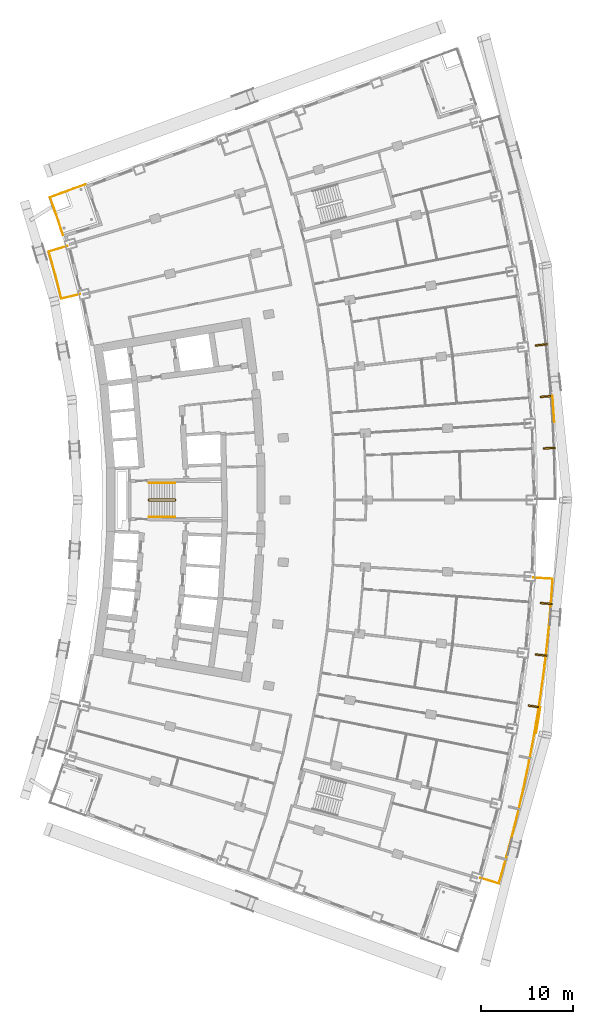
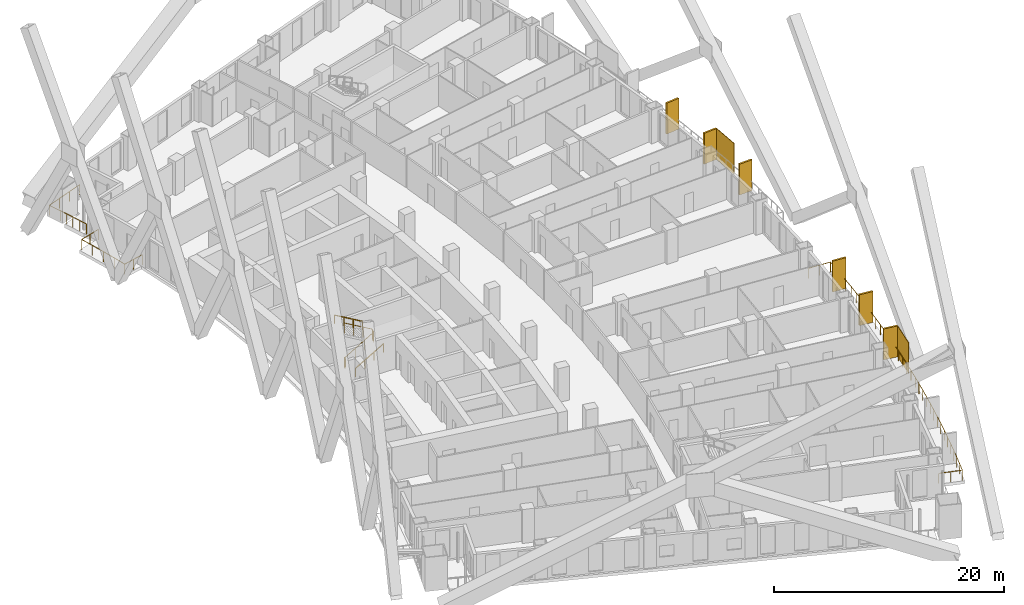
# One storey, part 22 of 23: 8 shading devices, 6 railings.
"""IFC4 building model written with IfcOpenShell, lengths in metres."""

from ifc_helpers import new_model, si_unit, direction, frame, origin, origin_with_axes, origin_2d, place, context, subcontext, project, spatial, rectangle, extrude, material, layer, layer_set, type_object, element, save


model = new_model("IFC4")

# Units and contexts
model_context = context("Model", 3, precision=1e-05, world=origin(), true_north=direction((0.0, 1.0)))
body_context = subcontext(model_context, "Body", "Model", "MODEL_VIEW")
ifc_project = project(units=[si_unit("LENGTHUNIT", "METRE"), si_unit("AREAUNIT", "SQUARE_METRE"), si_unit("VOLUMEUNIT", "CUBIC_METRE"), si_unit("PLANEANGLEUNIT", "RADIAN"), si_unit("MASSUNIT", "GRAM", prefix="KILO")], contexts=[model_context])

# Site, building, storey
site_placement = place(None, origin())
site = spatial("IfcSite", under=ifc_project, at=site_placement, CompositionType="ELEMENT")
building_placement = place(site_placement, origin())
building = spatial("IfcBuilding", under=site, at=building_placement, Name="Alderwake Tower", CompositionType="ELEMENT")
storey_placement = place(building_placement, frame((0.0, 0.0, 53.60009765625)))
storey = spatial("IfcBuildingStorey", under=building, at=storey_placement, Name="L12", CompositionType="ELEMENT", Elevation=53.60009765625)

# Railings
ifc_material_1 = material(Name="Stainless steel 316 rail and posts", Category="steel")
railing_type_1 = type_object("IfcRailingType", Name="Balcony guard 1100", PredefinedType="GUARDRAIL", material=ifc_material_1)
railing_1_placement = place(storey_placement, frame((56.98876953125, 19.974853515625, 0.0)))
element("IfcRailing", 1, at=railing_1_placement, inside=storey, type_object=railing_type_1, Name="Guard BF02", PredefinedType="GUARDRAIL", context=body_context, shape_type="SweptSolid", body=[
    extrude(rectangle(XDim=0.048095703125, YDim=0.048095703125, at=origin_2d()), frame((0.0, 0.0, 1.076171875), z_axis=(0.957954179098, -0.286921227429, 0.0), x_axis=(0.286921227429, 0.957954179098, 0.0)), (0.0, 0.0, 1.0), 2.10009765625),
    extrude(rectangle(XDim=0.048095703125, YDim=0.048095703125, at=origin_2d()), frame((2.01171875, -0.6025390625, 1.076171875), z_axis=(0.28021854868, 0.95993622964, 0.0), x_axis=(-0.95993622964, 0.28021854868, 0.0)), (0.0, 0.0, 1.0), 2.01611328125),
    extrude(rectangle(XDim=0.048095703125, YDim=0.048095703125, at=origin_2d()), frame((2.57666015625, 1.332763671875, 1.076171875), z_axis=(0.266513084078, 0.9638313006, 0.0), x_axis=(-0.9638313006, 0.266513084078, 0.0)), (0.0, 0.0, 1.0), 2.115966796875),
    extrude(rectangle(XDim=0.048095703125, YDim=0.048095703125, at=origin_2d()), frame((3.140625, 3.372314453125, 1.076171875), z_axis=(0.25253930462, 0.967586636752, 0.0), x_axis=(-0.967586636752, 0.25253930462, 0.0)), (0.0, 0.0, 1.0), 2.1162109375),
    extrude(rectangle(XDim=0.048095703125, YDim=0.048095703125, at=origin_2d()), frame((3.675048828125, 5.419921875, 1.076171875), z_axis=(0.238270812315, 0.971198754117, 0.0), x_axis=(-0.971198754117, 0.238270812315, 0.0)), (0.0, 0.0, 1.0), 2.115966796875),
    extrude(rectangle(XDim=0.048095703125, YDim=0.048095703125, at=origin_2d()), frame((4.17919921875, 7.474853515625, 1.076171875), z_axis=(0.224058933292, 0.974575597074, 0.0), x_axis=(-0.974575597074, 0.224058933292, 0.0)), (0.0, 0.0, 1.0), 2.115966796875),
    extrude(rectangle(XDim=0.048095703125, YDim=0.048095703125, at=origin_2d()), frame((4.6533203125, 9.537109375, 1.076171875), z_axis=(0.209875777658, 0.977728059305, 0.0), x_axis=(-0.977728059305, 0.209875777658, 0.0)), (0.0, 0.0, 1.0), 2.115966796875),
    extrude(rectangle(XDim=0.048095703125, YDim=0.048095703125, at=origin_2d()), frame((5.097412109375, 11.60595703125, 1.076171875), z_axis=(0.195672373282, 0.980669323643, 0.0), x_axis=(-0.980669323643, 0.195672373282, 0.0)), (0.0, 0.0, 1.0), 2.1162109375),
    extrude(rectangle(XDim=0.048095703125, YDim=0.048095703125, at=origin_2d()), frame((5.511474609375, 13.68115234375, 1.076171875), z_axis=(0.181271090416, 0.983433165893, 0.0), x_axis=(-0.983433165893, 0.181271090416, 0.0)), (0.0, 0.0, 1.0), 2.115966796875),
    extrude(rectangle(XDim=0.048095703125, YDim=0.048095703125, at=origin_2d()), frame((5.89501953125, 15.761962890625, 1.076171875), z_axis=(0.166942854132, 0.985966573193, 0.0), x_axis=(-0.985966573193, 0.166942854132, 0.0)), (0.0, 0.0, 1.0), 2.1162109375),
    extrude(rectangle(XDim=0.048095703125, YDim=0.048095703125, at=origin_2d()), frame((6.248291015625, 17.848388671875, 1.076171875), z_axis=(0.152525334997, 0.988299560955, 0.0), x_axis=(-0.988299560955, 0.152525334997, 0.0)), (0.0, 0.0, 1.0), 2.115966796875),
    extrude(rectangle(XDim=0.048095703125, YDim=0.048095703125, at=origin_2d()), frame((6.571044921875, 19.939697265625, 1.076171875), z_axis=(0.13810917546, 0.990417010988, 0.0), x_axis=(-0.990417010988, 0.13810917546, 0.0)), (0.0, 0.0, 1.0), 2.115966796875),
    extrude(rectangle(XDim=0.048095703125, YDim=0.048095703125, at=origin_2d()), frame((6.86328125, 22.035400390625, 1.076171875), z_axis=(0.123566122663, 0.992336340829, 0.0), x_axis=(-0.992336340829, 0.123566122663, 0.0)), (0.0, 0.0, 1.0), 2.115966796875),
    extrude(rectangle(XDim=0.048095703125, YDim=0.048095703125, at=origin_2d()), frame((7.124755859375, 24.13525390625, 1.076171875), z_axis=(0.109152371234, 0.994025029792, 0.0), x_axis=(-0.994025029792, 0.109152371234, 0.0)), (0.0, 0.0, 1.0), 2.115966796875),
    extrude(rectangle(XDim=0.048095703125, YDim=0.048095703125, at=origin_2d()), frame((7.355712890625, 26.238525390625, 1.076171875), z_axis=(0.094727418448, 0.995503247707, 0.0), x_axis=(-0.995503247707, 0.094727418448, 0.0)), (0.0, 0.0, 1.0), 2.115966796875),
    extrude(rectangle(XDim=0.048095703125, YDim=0.048095703125, at=origin_2d()), frame((7.55615234375, 28.344970703125, 1.076171875), z_axis=(0.080066197531, 0.996789548507, 0.0), x_axis=(-0.996789548507, 0.080066197531, 0.0)), (0.0, 0.0, 1.0), 2.1162109375),
    extrude(rectangle(XDim=0.048095703125, YDim=0.048095703125, at=origin_2d()), frame((7.7255859375, 30.454345703125, 1.076171875), z_axis=(0.065996579832, 0.997819849197, 0.0), x_axis=(-0.997819849197, 0.065996579832, 0.0)), (0.0, 0.0, 1.0), 2.01611328125),
    extrude(rectangle(XDim=0.048095703125, YDim=0.048095703125, at=origin_2d()), frame((7.858642578125, 32.466064453125, 1.076171875), z_axis=(-0.998261521477, 0.05894009449, 0.0), x_axis=(-0.05894009449, -0.998261521477, 0.0)), (0.0, 0.0, 1.0), 2.10009765625),
    extrude(rectangle(XDim=0.0419921875, YDim=0.0419921875, at=origin_2d()), frame((0.0, 0.0, 0.0), z_axis=(0.0, 0.0, 1.0), x_axis=(0.957954179098, -0.286921227429, 0.0)), (0.0, 0.0, 1.0), 1.052001953125),
    extrude(rectangle(XDim=0.0419921875, YDim=0.0419921875, at=origin_2d()), frame((1.005859375, -0.30126953125, 0.0), z_axis=(0.0, 0.0, 1.0), x_axis=(0.957954179098, -0.286921227429, 0.0)), (0.0, 0.0, 1.0), 1.052001953125),
    extrude(rectangle(XDim=0.0419921875, YDim=0.0419921875, at=origin_2d()), frame((2.01171875, -0.6025390625, 0.0), z_axis=(0.0, 0.0, 1.0), x_axis=(0.28021854868, 0.95993622964, 0.0)), (0.0, 0.0, 1.0), 1.052001953125),
    extrude(rectangle(XDim=0.0419921875, YDim=0.0419921875, at=origin_2d()), frame((2.294189453125, 0.365234375, 0.0), z_axis=(0.0, 0.0, 1.0), x_axis=(0.28021854868, 0.95993622964, 0.0)), (0.0, 0.0, 1.0), 1.052001953125),
    extrude(rectangle(XDim=0.0419921875, YDim=0.0419921875, at=origin_2d()), frame((2.57666015625, 1.332763671875, 0.0), z_axis=(0.0, 0.0, 1.0), x_axis=(0.266513084078, 0.9638313006, 0.0)), (0.0, 0.0, 1.0), 1.052001953125),
    extrude(rectangle(XDim=0.0419921875, YDim=0.0419921875, at=origin_2d()), frame((2.858642578125, 2.3525390625, 0.0), z_axis=(0.0, 0.0, 1.0), x_axis=(0.266513084078, 0.9638313006, 0.0)), (0.0, 0.0, 1.0), 1.052001953125),
    extrude(rectangle(XDim=0.0419921875, YDim=0.0419921875, at=origin_2d()), frame((3.140625, 3.372314453125, 0.0), z_axis=(0.0, 0.0, 1.0), x_axis=(0.25253930462, 0.967586636752, 0.0)), (0.0, 0.0, 1.0), 1.052001953125),
    extrude(rectangle(XDim=0.0419921875, YDim=0.0419921875, at=origin_2d()), frame((3.40771484375, 4.39599609375, 0.0), z_axis=(0.0, 0.0, 1.0), x_axis=(0.25253930462, 0.967586636752, 0.0)), (0.0, 0.0, 1.0), 1.052001953125),
    extrude(rectangle(XDim=0.0419921875, YDim=0.0419921875, at=origin_2d()), frame((3.675048828125, 5.419921875, 0.0), z_axis=(0.0, 0.0, 1.0), x_axis=(0.238270812315, 0.971198754117, 0.0)), (0.0, 0.0, 1.0), 1.052001953125),
    extrude(rectangle(XDim=0.0419921875, YDim=0.0419921875, at=origin_2d()), frame((3.92724609375, 6.447265625, 0.0), z_axis=(0.0, 0.0, 1.0), x_axis=(0.238270812315, 0.971198754117, 0.0)), (0.0, 0.0, 1.0), 1.052001953125),
    extrude(rectangle(XDim=0.0419921875, YDim=0.0419921875, at=origin_2d()), frame((4.17919921875, 7.474853515625, 0.0), z_axis=(0.0, 0.0, 1.0), x_axis=(0.224058933292, 0.974575597074, 0.0)), (0.0, 0.0, 1.0), 1.052001953125),
    extrude(rectangle(XDim=0.0419921875, YDim=0.0419921875, at=origin_2d()), frame((4.416259765625, 8.505859375, 0.0), z_axis=(0.0, 0.0, 1.0), x_axis=(0.224058933292, 0.974575597074, 0.0)), (0.0, 0.0, 1.0), 1.052001953125),
    extrude(rectangle(XDim=0.0419921875, YDim=0.0419921875, at=origin_2d()), frame((4.6533203125, 9.537109375, 0.0), z_axis=(0.0, 0.0, 1.0), x_axis=(0.209875777658, 0.977728059305, 0.0)), (0.0, 0.0, 1.0), 1.052001953125),
    extrude(rectangle(XDim=0.0419921875, YDim=0.0419921875, at=origin_2d()), frame((4.87548828125, 10.571533203125, 0.0), z_axis=(0.0, 0.0, 1.0), x_axis=(0.209875777658, 0.977728059305, 0.0)), (0.0, 0.0, 1.0), 1.052001953125),
    extrude(rectangle(XDim=0.0419921875, YDim=0.0419921875, at=origin_2d()), frame((5.097412109375, 11.60595703125, 0.0), z_axis=(0.0, 0.0, 1.0), x_axis=(0.195672373282, 0.980669323643, 0.0)), (0.0, 0.0, 1.0), 1.052001953125),
    extrude(rectangle(XDim=0.0419921875, YDim=0.0419921875, at=origin_2d()), frame((5.304443359375, 12.6435546875, 0.0), z_axis=(0.0, 0.0, 1.0), x_axis=(0.195672373282, 0.980669323643, 0.0)), (0.0, 0.0, 1.0), 1.052001953125),
    extrude(rectangle(XDim=0.0419921875, YDim=0.0419921875, at=origin_2d()), frame((5.511474609375, 13.68115234375, 0.0), z_axis=(0.0, 0.0, 1.0), x_axis=(0.181271090416, 0.983433165893, 0.0)), (0.0, 0.0, 1.0), 1.052001953125),
    extrude(rectangle(XDim=0.0419921875, YDim=0.0419921875, at=origin_2d()), frame((5.703125, 14.7216796875, 0.0), z_axis=(0.0, 0.0, 1.0), x_axis=(0.181271090416, 0.983433165893, 0.0)), (0.0, 0.0, 1.0), 1.052001953125),
    extrude(rectangle(XDim=0.0419921875, YDim=0.0419921875, at=origin_2d()), frame((5.89501953125, 15.761962890625, 0.0), z_axis=(0.0, 0.0, 1.0), x_axis=(0.166942854132, 0.985966573193, 0.0)), (0.0, 0.0, 1.0), 1.052001953125),
    extrude(rectangle(XDim=0.0419921875, YDim=0.0419921875, at=origin_2d()), frame((6.07177734375, 16.80517578125, 0.0), z_axis=(0.0, 0.0, 1.0), x_axis=(0.166942854132, 0.985966573193, 0.0)), (0.0, 0.0, 1.0), 1.052001953125),
    extrude(rectangle(XDim=0.0419921875, YDim=0.0419921875, at=origin_2d()), frame((6.248291015625, 17.848388671875, 0.0), z_axis=(0.0, 0.0, 1.0), x_axis=(0.152525334997, 0.988299560955, 0.0)), (0.0, 0.0, 1.0), 1.052001953125),
    extrude(rectangle(XDim=0.0419921875, YDim=0.0419921875, at=origin_2d()), frame((6.40966796875, 18.89404296875, 0.0), z_axis=(0.0, 0.0, 1.0), x_axis=(0.152525334997, 0.988299560955, 0.0)), (0.0, 0.0, 1.0), 1.052001953125),
    extrude(rectangle(XDim=0.0419921875, YDim=0.0419921875, at=origin_2d()), frame((6.571044921875, 19.939697265625, 0.0), z_axis=(0.0, 0.0, 1.0), x_axis=(0.13810917546, 0.990417010988, 0.0)), (0.0, 0.0, 1.0), 1.052001953125),
    extrude(rectangle(XDim=0.0419921875, YDim=0.0419921875, at=origin_2d()), frame((6.71728515625, 20.987548828125, 0.0), z_axis=(0.0, 0.0, 1.0), x_axis=(0.13810917546, 0.990417010988, 0.0)), (0.0, 0.0, 1.0), 1.052001953125),
    extrude(rectangle(XDim=0.0419921875, YDim=0.0419921875, at=origin_2d()), frame((6.86328125, 22.035400390625, 0.0), z_axis=(0.0, 0.0, 1.0), x_axis=(0.123566122663, 0.992336340829, 0.0)), (0.0, 0.0, 1.0), 1.052001953125),
    extrude(rectangle(XDim=0.0419921875, YDim=0.0419921875, at=origin_2d()), frame((6.994140625, 23.08544921875, 0.0), z_axis=(0.0, 0.0, 1.0), x_axis=(0.123566122663, 0.992336340829, 0.0)), (0.0, 0.0, 1.0), 1.052001953125),
    extrude(rectangle(XDim=0.0419921875, YDim=0.0419921875, at=origin_2d()), frame((7.124755859375, 24.13525390625, 0.0), z_axis=(0.0, 0.0, 1.0), x_axis=(0.109152371234, 0.994025029792, 0.0)), (0.0, 0.0, 1.0), 1.052001953125),
    extrude(rectangle(XDim=0.0419921875, YDim=0.0419921875, at=origin_2d()), frame((7.240234375, 25.18701171875, 0.0), z_axis=(0.0, 0.0, 1.0), x_axis=(0.109152371234, 0.994025029792, 0.0)), (0.0, 0.0, 1.0), 1.052001953125),
    extrude(rectangle(XDim=0.0419921875, YDim=0.0419921875, at=origin_2d()), frame((7.355712890625, 26.238525390625, 0.0), z_axis=(0.0, 0.0, 1.0), x_axis=(0.094727418448, 0.995503247707, 0.0)), (0.0, 0.0, 1.0), 1.052001953125),
    extrude(rectangle(XDim=0.0419921875, YDim=0.0419921875, at=origin_2d()), frame((7.4560546875, 27.291748046875, 0.0), z_axis=(0.0, 0.0, 1.0), x_axis=(0.094727418448, 0.995503247707, 0.0)), (0.0, 0.0, 1.0), 1.052001953125),
    extrude(rectangle(XDim=0.0419921875, YDim=0.0419921875, at=origin_2d()), frame((7.55615234375, 28.344970703125, 0.0), z_axis=(0.0, 0.0, 1.0), x_axis=(0.080066197531, 0.996789548507, 0.0)), (0.0, 0.0, 1.0), 1.052001953125),
    extrude(rectangle(XDim=0.0419921875, YDim=0.0419921875, at=origin_2d()), frame((7.640869140625, 29.399658203125, 0.0), z_axis=(0.0, 0.0, 1.0), x_axis=(0.080066197531, 0.996789548507, 0.0)), (0.0, 0.0, 1.0), 1.052001953125),
    extrude(rectangle(XDim=0.0419921875, YDim=0.0419921875, at=origin_2d()), frame((7.7255859375, 30.454345703125, 0.0), z_axis=(0.0, 0.0, 1.0), x_axis=(0.065996579832, 0.997819849197, 0.0)), (0.0, 0.0, 1.0), 1.052001953125),
    extrude(rectangle(XDim=0.0419921875, YDim=0.0419921875, at=origin_2d()), frame((7.7919921875, 31.460205078125, 0.0), z_axis=(0.0, 0.0, 1.0), x_axis=(0.065996579832, 0.997819849197, 0.0)), (0.0, 0.0, 1.0), 1.052001953125),
    extrude(rectangle(XDim=0.0419921875, YDim=0.0419921875, at=origin_2d()), frame((7.858642578125, 32.466064453125, 0.0), z_axis=(0.0, 0.0, 1.0), x_axis=(-0.998261521477, 0.05894009449, 0.0)), (0.0, 0.0, 1.0), 1.052001953125),
    extrude(rectangle(XDim=0.0419921875, YDim=0.0419921875, at=origin_2d()), frame((6.810546875, 32.52783203125, 0.0), z_axis=(0.0, 0.0, 1.0), x_axis=(-0.998261521477, 0.05894009449, 0.0)), (0.0, 0.0, 1.0), 1.052001953125),
    extrude(rectangle(XDim=0.0419921875, YDim=0.0419921875, at=origin_2d()), frame((5.76220703125, 32.58984375, 0.0), z_axis=(0.0, 0.0, 1.0), x_axis=(-0.998261521477, 0.05894009449, 0.0)), (0.0, 0.0, 1.0), 1.052001953125),
])
railing_2_placement = place(storey_placement, frame((13.5693359375, 83.343017578125, 0.0)))
element("IfcRailing", 2, at=railing_2_placement, inside=storey, type_object=railing_type_1, Name="Guard BR11", PredefinedType="GUARDRAIL", context=body_context, shape_type="SweptSolid", body=[
    extrude(rectangle(XDim=0.048095703125, YDim=0.048095703125, at=origin_2d()), frame((0.0, 0.0, 1.076171875), z_axis=(-0.972646310656, -0.232291098337, 0.0), x_axis=(0.232291098337, -0.972646310656, 0.0)), (0.0, 0.0, 1.0), 2.099853515625),
    extrude(rectangle(XDim=0.048095703125, YDim=0.048095703125, at=origin_2d()), frame((-2.04248046875, -0.48779296875, 1.076171875), z_axis=(-0.238877101641, 0.971049808358, 0.0), x_axis=(-0.971049808358, -0.238877101641, 0.0)), (0.0, 0.0, 1.0), 1.2724609375),
    extrude(rectangle(XDim=0.048095703125, YDim=0.048095703125, at=origin_2d()), frame((-2.346435546875, 0.747802734375, 1.076171875), z_axis=(-0.252487086228, 0.967600264204, 0.0), x_axis=(-0.967600264204, -0.252487086228, 0.0)), (0.0, 0.0, 1.0), 1.3720703125),
    extrude(rectangle(XDim=0.048095703125, YDim=0.048095703125, at=origin_2d()), frame((-2.69287109375, 2.075439453125, 1.076171875), z_axis=(-0.266487604617, 0.963838345671, 0.0), x_axis=(-0.963838345671, -0.266487604617, 0.0)), (0.0, 0.0, 1.0), 1.372314453125),
    extrude(rectangle(XDim=0.048095703125, YDim=0.048095703125, at=origin_2d()), frame((-3.05859375, 3.398193359375, 1.076171875), z_axis=(-0.279963157487, 0.960010744966, 0.0), x_axis=(-0.960010744966, -0.279963157487, 0.0)), (0.0, 0.0, 1.0), 1.272216796875),
    extrude(rectangle(XDim=0.048095703125, YDim=0.048095703125, at=origin_2d()), frame((-3.414794921875, 4.61962890625, 1.076171875), z_axis=(0.958091458885, 0.286462486918, 0.0), x_axis=(-0.286462486918, 0.958091458885, 0.0)), (0.0, 0.0, 1.0), 2.099853515625),
    extrude(rectangle(XDim=0.0419921875, YDim=0.0419921875, at=origin_2d()), frame((0.0, 0.0, 0.0), z_axis=(0.0, 0.0, 1.0), x_axis=(-0.972646310656, -0.232291098337, 0.0)), (0.0, 0.0, 1.0), 1.052001953125),
    extrude(rectangle(XDim=0.0419921875, YDim=0.0419921875, at=origin_2d()), frame((-1.021240234375, -0.243896484375, 0.0), z_axis=(0.0, 0.0, 1.0), x_axis=(-0.972646310656, -0.232291098337, 0.0)), (0.0, 0.0, 1.0), 1.052001953125),
    extrude(rectangle(XDim=0.0419921875, YDim=0.0419921875, at=origin_2d()), frame((-2.04248046875, -0.48779296875, 0.0), z_axis=(0.0, 0.0, 1.0), x_axis=(-0.238877101641, 0.971049808358, 0.0)), (0.0, 0.0, 1.0), 1.052001953125),
    extrude(rectangle(XDim=0.0419921875, YDim=0.0419921875, at=origin_2d()), frame((-2.346435546875, 0.747802734375, 0.0), z_axis=(0.0, 0.0, 1.0), x_axis=(-0.252487086228, 0.967600264204, 0.0)), (0.0, 0.0, 1.0), 1.052001953125),
    extrude(rectangle(XDim=0.0419921875, YDim=0.0419921875, at=origin_2d()), frame((-2.69287109375, 2.075439453125, 0.0), z_axis=(0.0, 0.0, 1.0), x_axis=(-0.266487604617, 0.963838345671, 0.0)), (0.0, 0.0, 1.0), 1.052001953125),
    extrude(rectangle(XDim=0.0419921875, YDim=0.0419921875, at=origin_2d()), frame((-3.05859375, 3.398193359375, 0.0), z_axis=(0.0, 0.0, 1.0), x_axis=(-0.279963157487, 0.960010744966, 0.0)), (0.0, 0.0, 1.0), 1.052001953125),
    extrude(rectangle(XDim=0.0419921875, YDim=0.0419921875, at=origin_2d()), frame((-3.414794921875, 4.61962890625, 0.0), z_axis=(0.0, 0.0, 1.0), x_axis=(0.958091458885, 0.286462486918, 0.0)), (0.0, 0.0, 1.0), 1.052001953125),
    extrude(rectangle(XDim=0.0419921875, YDim=0.0419921875, at=origin_2d()), frame((-2.40869140625, 4.92041015625, 0.0), z_axis=(0.0, 0.0, 1.0), x_axis=(0.958091458885, 0.286462486918, 0.0)), (0.0, 0.0, 1.0), 1.052001953125),
    extrude(rectangle(XDim=0.0419921875, YDim=0.0419921875, at=origin_2d()), frame((-1.40283203125, 5.22119140625, 0.0), z_axis=(0.0, 0.0, 1.0), x_axis=(0.958091458885, 0.286462486918, 0.0)), (0.0, 0.0, 1.0), 1.052001953125),
])
railing_3_placement = place(storey_placement, frame((11.688720703125, 89.781982421875, 0.0)))
element("IfcRailing", 3, at=railing_3_placement, inside=storey, type_object=railing_type_1, Name="Guard terrace RN", PredefinedType="GUARDRAIL", context=body_context, shape_type="SweptSolid", body=[
    extrude(rectangle(XDim=0.048095703125, YDim=0.048095703125, at=origin_2d()), frame((0.0, 0.0, 1.076171875), z_axis=(-0.307479326145, 0.951554761426, 0.0), x_axis=(-0.951554761426, -0.307479326145, 0.0)), (0.0, 0.0, 1.0), 1.6015625),
    extrude(rectangle(XDim=0.048095703125, YDim=0.048095703125, at=origin_2d()), frame((-0.492431640625, 1.52392578125, 1.076171875), z_axis=(-0.322283727344, 0.946643121292, 0.0), x_axis=(-0.946643121292, -0.322283727344, 0.0)), (0.0, 0.0, 1.0), 1.4013671875),
    extrude(rectangle(XDim=0.048095703125, YDim=0.048095703125, at=origin_2d()), frame((-0.944091796875, 2.8505859375, 1.076171875), z_axis=(-0.335468607403, 0.942051385778, 0.0), x_axis=(-0.942051385778, -0.335468607403, 0.0)), (0.0, 0.0, 1.0), 1.30126953125),
    extrude(rectangle(XDim=0.048095703125, YDim=0.048095703125, at=origin_2d()), frame((-1.380615234375, 4.076416015625, 1.076171875), z_axis=(0.939708203232, 0.341977327873, 0.0), x_axis=(-0.341977327873, 0.939708203232, 0.0)), (0.0, 0.0, 1.0), 4.10009765625),
    extrude(rectangle(XDim=0.0419921875, YDim=0.0419921875, at=origin_2d()), frame((0.0, 0.0, 0.0), z_axis=(0.0, 0.0, 1.0), x_axis=(-0.307479326145, 0.951554761426, 0.0)), (0.0, 0.0, 1.0), 1.052001953125),
    extrude(rectangle(XDim=0.0419921875, YDim=0.0419921875, at=origin_2d()), frame((-0.24609375, 0.761962890625, 0.0), z_axis=(0.0, 0.0, 1.0), x_axis=(-0.307479326145, 0.951554761426, 0.0)), (0.0, 0.0, 1.0), 1.052001953125),
    extrude(rectangle(XDim=0.0419921875, YDim=0.0419921875, at=origin_2d()), frame((-0.492431640625, 1.52392578125, 0.0), z_axis=(0.0, 0.0, 1.0), x_axis=(-0.322283727344, 0.946643121292, 0.0)), (0.0, 0.0, 1.0), 1.052001953125),
    extrude(rectangle(XDim=0.0419921875, YDim=0.0419921875, at=origin_2d()), frame((-0.71826171875, 2.187255859375, 0.0), z_axis=(0.0, 0.0, 1.0), x_axis=(-0.322283727344, 0.946643121292, 0.0)), (0.0, 0.0, 1.0), 1.052001953125),
    extrude(rectangle(XDim=0.0419921875, YDim=0.0419921875, at=origin_2d()), frame((-0.944091796875, 2.8505859375, 0.0), z_axis=(0.0, 0.0, 1.0), x_axis=(-0.335468607403, 0.942051385778, 0.0)), (0.0, 0.0, 1.0), 1.052001953125),
    extrude(rectangle(XDim=0.0419921875, YDim=0.0419921875, at=origin_2d()), frame((-1.380615234375, 4.076416015625, 0.0), z_axis=(0.0, 0.0, 1.0), x_axis=(0.939708203232, 0.341977327873, 0.0)), (0.0, 0.0, 1.0), 1.052001953125),
    extrude(rectangle(XDim=0.0419921875, YDim=0.0419921875, at=origin_2d()), frame((-0.096435546875, 4.543701171875, 0.0), z_axis=(0.0, 0.0, 1.0), x_axis=(0.939708203232, 0.341977327873, 0.0)), (0.0, 0.0, 1.0), 1.052001953125),
    extrude(rectangle(XDim=0.0419921875, YDim=0.0419921875, at=origin_2d()), frame((1.18798828125, 5.01123046875, 0.0), z_axis=(0.0, 0.0, 1.0), x_axis=(0.939708203232, 0.341977327873, 0.0)), (0.0, 0.0, 1.0), 1.052001953125),
    extrude(rectangle(XDim=0.0419921875, YDim=0.0419921875, at=origin_2d()), frame((2.47216796875, 5.478515625, 0.0), z_axis=(0.0, 0.0, 1.0), x_axis=(0.939708203232, 0.341977327873, 0.0)), (0.0, 0.0, 1.0), 1.052001953125),
])

# Shading devices
ifc_material_2 = material(Name="Bronze anodised aluminium", Category="aluminium")
ifc_layer_1 = layer(ifc_material_2, 0.179931640625)
ifc_layer_set_1 = layer_set([ifc_layer_1], Name="Facade fin 1300")
shading_device_type_1 = type_object("IfcShadingDeviceType", Name="Facade fin 1300", PredefinedType="USERDEFINED", material=ifc_layer_set_1)
for number, where, z_axis, x_axis, name in (
    (4, (62.85302734375, 38.5908203125, 0.0), (0.0, 0.0, 1.0), (0.987918787879, -0.154972476771, 0.0), "Fin"),
    (5, (63.616455078125, 44.16357421875, 0.0), (0.0, 0.0, 1.0), (0.993198315083, -0.116434990084, 0.0), "Fin"),
    (6, (64.16259765625, 49.761474609375, 0.0), (0.0, 0.0, 1.0), (0.996975122026, -0.077721335943, 0.0), "Fin"),
    (7, (64.490478515625, 66.62353515625, 0.0), (0.0, 0.0, 1.0), (0.999243494356, 0.038890088543, 0.0), "Fin"),
    (8, (64.16259765625, 72.238525390625, 0.0), (0.0, 0.0, 1.0), (0.996975122026, 0.077721335943, 0.0), "Fin"),
    (9, (63.616455078125, 77.83642578125, 0.0), (0.0, 0.0, 1.0), (0.993198315083, 0.116434990084, 0.0), "Fin"),
):
    element("IfcShadingDevice", number, at=place(storey_placement, frame(where, z_axis=z_axis, x_axis=x_axis)), inside=storey, type_object=shading_device_type_1, Name=name, ObjectType="FIN", PredefinedType="USERDEFINED", context=body_context, shape_type="SweptSolid", body=[
        extrude(rectangle(XDim=1.300048828125, YDim=0.179931640625, at=origin_2d()), origin(), (0.0, 0.0, 1.0), 3.280029296875),
    ])
ifc_material_3 = material(Name="Perforated bronze anodised aluminium", Category="aluminium")
ifc_layer_2 = layer(ifc_material_3, 0.050048828125)
ifc_layer_set_2 = layer_set([ifc_layer_2], Name="Perforated screen panel")
shading_device_type_2 = type_object("IfcShadingDeviceType", Name="Perforated screen panel", PredefinedType="USERDEFINED", material=ifc_layer_set_2)
shading_device_1_placement = place(storey_placement, frame((63.2880859375, 37.096435546875, 0.0), z_axis=(0.0, 0.0, 1.0), x_axis=(0.986369013299, -0.164548380739, 0.0)))
element("IfcShadingDevice", 10, at=shading_device_1_placement, inside=storey, type_object=shading_device_type_2, Name="Screen panel", ObjectType="SCREEN", PredefinedType="USERDEFINED", context=body_context, shape_type="SweptSolid", body=[
    extrude(rectangle(XDim=0.050048828125, YDim=2.818359375, at=origin_2d()), origin(), (0.0, 0.0, 1.0), 3.280029296875),
])
shading_device_2_placement = place(storey_placement, frame((64.931884765625, 70.8779296875, 0.0), z_axis=(0.0, 0.0, 1.0), x_axis=(0.997685465774, 0.067997877779, 0.0)))
element("IfcShadingDevice", 11, at=shading_device_2_placement, inside=storey, type_object=shading_device_type_2, Name="Screen panel", ObjectType="SCREEN", PredefinedType="USERDEFINED", context=body_context, shape_type="SweptSolid", body=[
    extrude(rectangle(XDim=0.050048828125, YDim=2.832763671875, at=origin_2d()), origin(), (0.0, 0.0, 1.0), 3.280029296875),
])

# Railings
ifc_material_4 = material(Name="Stainless steel guard", Category="steel")
railing_type_2 = type_object("IfcRailingType", Name="Stair guard 1100", PredefinedType="GUARDRAIL", material=ifc_material_4)
railing_4_placement = place(storey_placement, frame((20.989990234375, 60.925048828125, 0.0)))
element("IfcRailing", 12, at=railing_4_placement, inside=storey, type_object=railing_type_2, Name="L12 ST-B stair guard 1", PredefinedType="GUARDRAIL", context=body_context, shape_type="SweptSolid", body=[
    extrude(rectangle(XDim=0.048095703125, YDim=0.048095703125, at=origin_2d()), frame((0.0, 0.0, 1.076171875), z_axis=(0.0, 1.0, 0.0), x_axis=(-1.0, 0.0, 0.0)), (0.0, 0.0, 1.0), 0.14990234375),
    extrude(rectangle(XDim=0.048095703125, YDim=0.048095703125, at=origin_2d()), frame((0.0, 0.14990234375, 1.076171875), z_axis=(0.190199549216, -0.759870394187, 0.621627795), x_axis=(0.970072785993, 0.242814311512, 0.0)), (0.0, 0.0, 1.0), 0.26318359375),
    extrude(rectangle(XDim=0.048095703125, YDim=0.048095703125, at=origin_2d()), frame((0.050048828125, -0.050048828125, 1.23974609375), z_axis=(0.863393664356, 0.0, 0.504530851732), x_axis=(0.0, 1.0, 0.0)), (0.0, 0.0, 1.0), 3.2431640625),
    extrude(rectangle(XDim=0.048095703125, YDim=0.048095703125, at=origin_2d()), frame((2.85009765625, -0.050048828125, 2.8759765625), z_axis=(0.705375805398, 0.708833529934, 0.0), x_axis=(-0.708833529934, 0.705375805398, 0.0)), (0.0, 0.0, 1.0), 0.070556640625),
    extrude(rectangle(XDim=0.048095703125, YDim=0.048095703125, at=origin_2d()), frame((2.89990234375, 0.0, 2.8759765625), z_axis=(0.0, 1.0, 0.0), x_axis=(-1.0, 0.0, 0.0)), (0.0, 0.0, 1.0), 0.14990234375),
    extrude(rectangle(XDim=0.048095703125, YDim=0.048095703125, at=origin_2d()), frame((2.89990234375, 0.14990234375, 2.8759765625), z_axis=(-0.279194930351, 0.280563532951, 0.91833234444), x_axis=(-0.708833529934, -0.705375805398, 0.0)), (0.0, 0.0, 1.0), 0.178466796875),
    extrude(rectangle(XDim=0.048095703125, YDim=0.048095703125, at=origin_2d()), frame((2.85009765625, 0.199951171875, 3.03955078125), z_axis=(-0.863393664356, 0.0, 0.504530851732), x_axis=(0.0, -1.0, 0.0)), (0.0, 0.0, 1.0), 3.2431640625),
    extrude(rectangle(XDim=0.0419921875, YDim=0.0419921875, at=origin_2d()), frame((0.0, 0.0, 0.0), z_axis=(0.0, 0.0, 1.0), x_axis=(0.0, 1.0, 0.0)), (0.0, 0.0, 1.0), 1.052001953125),
    extrude(rectangle(XDim=0.0419921875, YDim=0.0419921875, at=origin_2d()), frame((0.0, 0.14990234375, 0.0), z_axis=(0.0, 0.0, 1.0), x_axis=(0.242814311512, -0.970072785993, 0.0)), (0.0, 0.0, 1.0), 1.052001953125),
    extrude(rectangle(XDim=0.0419921875, YDim=0.0419921875, at=origin_2d()), frame((0.050048828125, -0.050048828125, 0.16357421875), z_axis=(0.0, 0.0, 1.0), x_axis=(1.0, 0.0, 0.0)), (0.0, 0.0, 1.0), 1.052001953125),
    extrude(rectangle(XDim=0.0419921875, YDim=0.0419921875, at=origin_2d()), frame((0.9833984375, -0.050048828125, 0.708984375), z_axis=(0.0, 0.0, 1.0), x_axis=(1.0, 0.0, 0.0)), (0.0, 0.0, 1.0), 1.052001953125),
    extrude(rectangle(XDim=0.0419921875, YDim=0.0419921875, at=origin_2d()), frame((1.916748046875, -0.050048828125, 1.25439453125), z_axis=(0.0, 0.0, 1.0), x_axis=(1.0, 0.0, 0.0)), (0.0, 0.0, 1.0), 1.052001953125),
    extrude(rectangle(XDim=0.0419921875, YDim=0.0419921875, at=origin_2d()), frame((2.85009765625, -0.050048828125, 1.7998046875), z_axis=(0.0, 0.0, 1.0), x_axis=(0.705375805398, 0.708833529934, 0.0)), (0.0, 0.0, 1.0), 1.052001953125),
    extrude(rectangle(XDim=0.0419921875, YDim=0.0419921875, at=origin_2d()), frame((2.89990234375, 0.0, 1.7998046875), z_axis=(0.0, 0.0, 1.0), x_axis=(0.0, 1.0, 0.0)), (0.0, 0.0, 1.0), 1.052001953125),
    extrude(rectangle(XDim=0.0419921875, YDim=0.0419921875, at=origin_2d()), frame((2.89990234375, 0.14990234375, 1.7998046875), z_axis=(0.0, 0.0, 1.0), x_axis=(-0.705375805398, 0.708833529934, 0.0)), (0.0, 0.0, 1.0), 1.052001953125),
    extrude(rectangle(XDim=0.0419921875, YDim=0.0419921875, at=origin_2d()), frame((2.85009765625, 0.199951171875, 1.963623046875), z_axis=(0.0, 0.0, 1.0), x_axis=(-1.0, 0.0, 0.0)), (0.0, 0.0, 1.0), 1.052001953125),
    extrude(rectangle(XDim=0.0419921875, YDim=0.0419921875, at=origin_2d()), frame((1.916748046875, 0.199951171875, 2.509033203125), z_axis=(0.0, 0.0, 1.0), x_axis=(-1.0, 0.0, 0.0)), (0.0, 0.0, 1.0), 1.052001953125),
    extrude(rectangle(XDim=0.0419921875, YDim=0.0419921875, at=origin_2d()), frame((0.9833984375, 0.199951171875, 3.054443359375), z_axis=(0.0, 0.0, 1.0), x_axis=(-1.0, 0.0, 0.0)), (0.0, 0.0, 1.0), 1.052001953125),
    extrude(rectangle(XDim=0.0419921875, YDim=0.0419921875, at=origin_2d()), frame((0.050048828125, 0.199951171875, 3.599853515625), z_axis=(0.0, 0.0, 1.0), x_axis=(-1.0, 0.0, 0.0)), (0.0, 0.0, 1.0), 1.052001953125),
])
ifc_material_5 = material(Name="Stainless steel handrail", Category="steel")
railing_type_3 = type_object("IfcRailingType", Name="Stair handrail 900", PredefinedType="HANDRAIL", material=ifc_material_5)
railing_5_placement = place(storey_placement, frame((21.0400390625, 59.175048828125, 0.16357421875)))
element("IfcRailing", 13, at=railing_5_placement, inside=storey, type_object=railing_type_3, Name="L12 ST-B stair handrail 1", PredefinedType="HANDRAIL", context=body_context, shape_type="SweptSolid", body=[
    extrude(rectangle(XDim=0.048095703125, YDim=0.048095703125, at=origin_2d()), frame((0.0, 0.0, 0.8759765625), z_axis=(0.863393664356, 0.0, 0.504530851732), x_axis=(0.0, 1.0, 0.0)), (0.0, 0.0, 1.0), 3.2431640625),
    extrude(rectangle(XDim=0.0419921875, YDim=0.0419921875, at=origin_2d()), origin_with_axes(), (0.0, 0.0, 1.0), 0.851806640625),
    extrude(rectangle(XDim=0.0419921875, YDim=0.0419921875, at=origin_2d()), frame((0.933349609375, 0.0, 0.54541015625), z_axis=(0.0, 0.0, 1.0), x_axis=(1.0, 0.0, 0.0)), (0.0, 0.0, 1.0), 0.851806640625),
    extrude(rectangle(XDim=0.0419921875, YDim=0.0419921875, at=origin_2d()), frame((1.86669921875, 0.0, 1.0908203125), z_axis=(0.0, 0.0, 1.0), x_axis=(1.0, 0.0, 0.0)), (0.0, 0.0, 1.0), 0.851806640625),
    extrude(rectangle(XDim=0.0419921875, YDim=0.0419921875, at=origin_2d()), frame((2.800048828125, 0.0, 1.63623046875), z_axis=(0.0, 0.0, 1.0), x_axis=(1.0, 0.0, 0.0)), (0.0, 0.0, 1.0), 0.851806640625),
])
railing_6_placement = place(storey_placement, frame((23.840087890625, 62.824951171875, 1.963623046875)))
element("IfcRailing", 14, at=railing_6_placement, inside=storey, type_object=railing_type_3, Name="L12 ST-B stair handrail 2", PredefinedType="HANDRAIL", context=body_context, shape_type="SweptSolid", body=[
    extrude(rectangle(XDim=0.048095703125, YDim=0.048095703125, at=origin_2d()), frame((0.0, 0.0, 0.8759765625), z_axis=(-0.863393664356, 0.0, 0.504530851732), x_axis=(0.0, -1.0, 0.0)), (0.0, 0.0, 1.0), 3.2431640625),
    extrude(rectangle(XDim=0.0419921875, YDim=0.0419921875, at=origin_2d()), frame((0.0, 0.0, 0.0), z_axis=(0.0, 0.0, 1.0), x_axis=(-1.0, 0.0, 0.0)), (0.0, 0.0, 1.0), 0.851806640625),
    extrude(rectangle(XDim=0.0419921875, YDim=0.0419921875, at=origin_2d()), frame((-0.933349609375, 0.0, 0.54541015625), z_axis=(0.0, 0.0, 1.0), x_axis=(-1.0, 0.0, 0.0)), (0.0, 0.0, 1.0), 0.851806640625),
    extrude(rectangle(XDim=0.0419921875, YDim=0.0419921875, at=origin_2d()), frame((-1.86669921875, 0.0, 1.0908203125), z_axis=(0.0, 0.0, 1.0), x_axis=(-1.0, 0.0, 0.0)), (0.0, 0.0, 1.0), 0.851806640625),
    extrude(rectangle(XDim=0.0419921875, YDim=0.0419921875, at=origin_2d()), frame((-2.800048828125, 0.0, 1.63623046875), z_axis=(0.0, 0.0, 1.0), x_axis=(-1.0, 0.0, 0.0)), (0.0, 0.0, 1.0), 0.851806640625),
])

save(model, "model.ifc")
